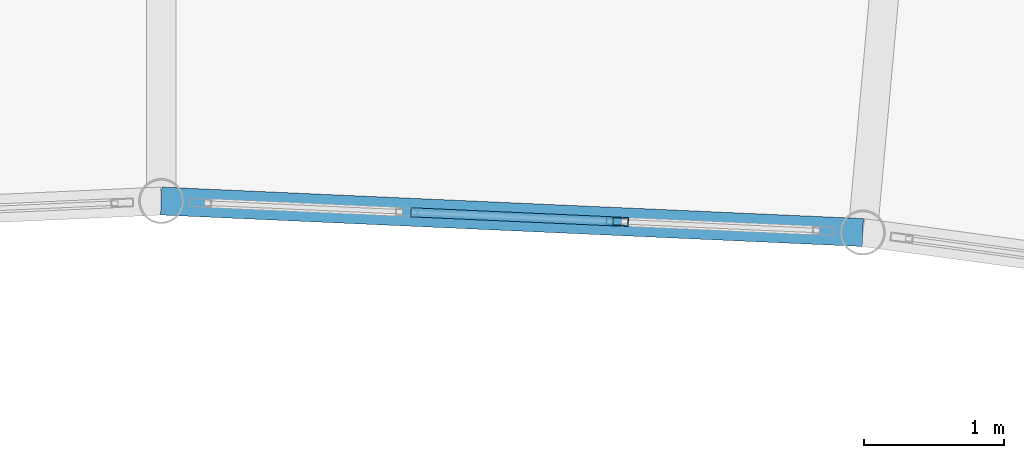
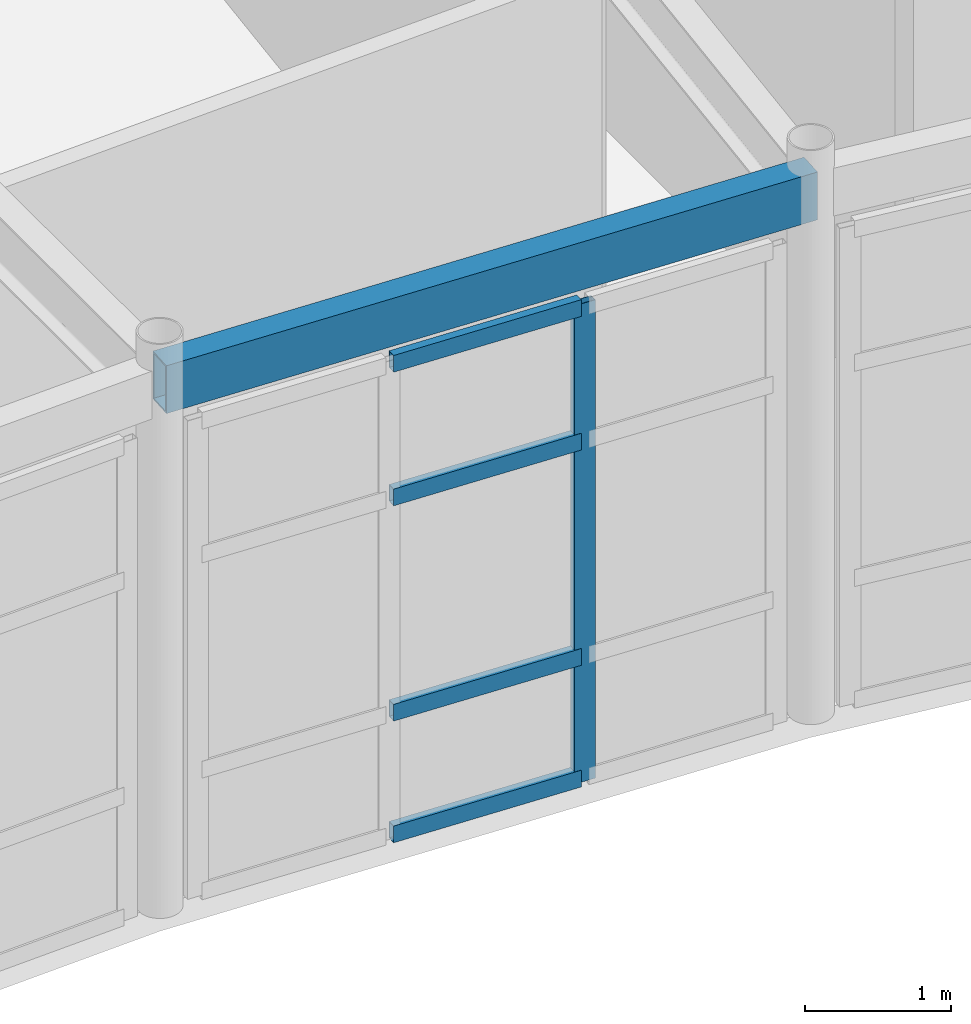
# One storey, part 72 of 116: 5 members, 1 beam, 1 element without a shape of its own.
"""IFC4 building model written with IfcOpenShell, lengths in metres."""

from ifc_helpers import new_model, si_unit, direction, frame, origin, origin_2d, place, context, subcontext, project, spatial, hollow_rectangle, extrude, material, layer, layer_set, material_profile, profile_set, type_object, element, aggregate, save


model = new_model("IFC4")

# Units and contexts
model_context = context("Model", 3, precision=1e-05, world=origin(), true_north=direction((0.0, 1.0)))
body_context = subcontext(model_context, "Body", "Model", "MODEL_VIEW")
ifc_project = project(units=[si_unit("LENGTHUNIT", "METRE"), si_unit("AREAUNIT", "SQUARE_METRE"), si_unit("VOLUMEUNIT", "CUBIC_METRE"), si_unit("PLANEANGLEUNIT", "RADIAN"), si_unit("MASSUNIT", "GRAM", prefix="KILO")], contexts=[model_context])

# Site, building, storey
site_placement = place(None, origin())
site = spatial("IfcSite", under=ifc_project, at=site_placement, CompositionType="ELEMENT")
building_placement = place(site_placement, origin())
building = spatial("IfcBuilding", under=site, at=building_placement, Name="Selat Folded Stagehouse", CompositionType="ELEMENT")
storey_placement = place(building_placement, frame((0.0, 0.0, 5.39990234375)))
storey = spatial("IfcBuildingStorey", under=building, at=storey_placement, Name="L01", CompositionType="ELEMENT", Elevation=5.39990234375)

# Curtain wall, members
ifc_material_1 = material(Name="Aluminium 6063-T6", Category="aluminium")
ifc_layer = layer(ifc_material_1, 0.18994140625)
ifc_layer_set = layer_set([ifc_layer], Name="Aluminium 6063-T6")
curtain_wall_type = type_object("IfcCurtainWallType", Name="CW-REH-ARC", PredefinedType="NOTDEFINED", material=ifc_layer_set)
curtain_wall_placement = place(storey_placement, origin())
curtain_wall = element("IfcCurtainWall", 1, at=curtain_wall_placement, inside=storey, type_object=curtain_wall_type, Name="L01 curtain wall CW-REH-L01-07", PredefinedType="NOTDEFINED")
ifc_material_profile_1 = material_profile(ifc_material_1, hollow_rectangle(XDim=0.06005859375, YDim=0.159912109375, WallThickness=0.00390625, at=origin_2d()), Name="ALU 160x60x4.0")
ifc_profile_set_1 = profile_set([ifc_material_profile_1], Name="Aluminium 6063-T6")
member_type_1 = type_object("IfcMemberType", Name="CWM-MUL-160x60", PredefinedType="MULLION", material=ifc_profile_set_1)
member_1_placement = place(storey_placement, frame((95.663330078125, 93.853515625, 0.0), z_axis=(0.0, 0.0, 1.0), x_axis=(-0.044862316478, -0.998993179436, 0.0)))
member_1 = element("IfcMember", 2, at=member_1_placement, type_object=member_type_1, Name="CW-06 mullion 2", PredefinedType="MULLION", context=body_context, shape_type="SweptSolid", body=[
    extrude(hollow_rectangle(XDim=0.06005859375, YDim=0.159912109375, WallThickness=0.00390625, at=origin_2d()), origin(), (0.0, 0.0, 1.0), 4.0),
])
ifc_material_profile_2 = material_profile(ifc_material_1, hollow_rectangle(XDim=0.06494140625, YDim=0.139892578125, WallThickness=0.00390625, at=origin_2d()), Name="ALU 140x65x4.0")
ifc_profile_set_2 = profile_set([ifc_material_profile_2], Name="Aluminium 6063-T6")
member_type_2 = type_object("IfcMemberType", Name="CWM-TRN-140x65", PredefinedType="USERDEFINED", material=ifc_profile_set_2)
member_2_placement = place(storey_placement, frame((95.63330078125, 93.854736328125, 0.03271484375), z_axis=(-0.998994101144, 0.044841787193, 0.0), x_axis=(-0.044841787193, -0.998994101144, 0.0)))
member_2 = element("IfcMember", 3, at=member_2_placement, type_object=member_type_2, Name="CW-06 transom 2.1", ObjectType="TRANSOM", PredefinedType="USERDEFINED", context=body_context, shape_type="SweptSolid", body=[
    extrude(hollow_rectangle(XDim=0.06494140625, YDim=0.139892578125, WallThickness=0.00390625, at=origin_2d()), origin(), (0.0, 0.0, 1.0), 1.4482421875),
])
member_3_placement = place(storey_placement, frame((95.63330078125, 93.854736328125, 1.050048828125), z_axis=(-0.998994101144, 0.044841787193, 0.0), x_axis=(-0.044841787193, -0.998994101144, 0.0)))
member_3 = element("IfcMember", 4, at=member_3_placement, type_object=member_type_2, Name="CW-06 transom 2.2", ObjectType="TRANSOM", PredefinedType="USERDEFINED", context=body_context, shape_type="SweptSolid", body=[
    extrude(hollow_rectangle(XDim=0.06494140625, YDim=0.139892578125, WallThickness=0.00390625, at=origin_2d()), origin(), (0.0, 0.0, 1.0), 1.4482421875),
])
member_4_placement = place(storey_placement, frame((95.63330078125, 93.854736328125, 2.85009765625), z_axis=(-0.998994101144, 0.044841787193, 0.0), x_axis=(-0.044841787193, -0.998994101144, 0.0)))
member_4 = element("IfcMember", 5, at=member_4_placement, type_object=member_type_2, Name="CW-06 transom 2.3", ObjectType="TRANSOM", PredefinedType="USERDEFINED", context=body_context, shape_type="SweptSolid", body=[
    extrude(hollow_rectangle(XDim=0.06494140625, YDim=0.139892578125, WallThickness=0.00390625, at=origin_2d()), origin(), (0.0, 0.0, 1.0), 1.4482421875),
])
member_5_placement = place(storey_placement, frame((95.63330078125, 93.854736328125, 3.967529296875), z_axis=(-0.998994101144, 0.044841787193, 0.0), x_axis=(-0.044841787193, -0.998994101144, 0.0)))
member_5 = element("IfcMember", 6, at=member_5_placement, type_object=member_type_2, Name="CW-06 transom 2.4", ObjectType="TRANSOM", PredefinedType="USERDEFINED", context=body_context, shape_type="SweptSolid", body=[
    extrude(hollow_rectangle(XDim=0.06494140625, YDim=0.139892578125, WallThickness=0.00390625, at=origin_2d()), origin(), (0.0, 0.0, 1.0), 1.4482421875),
])
aggregate(curtain_wall, [member_1, member_2, member_3, member_4, member_5])

# Beam
ifc_material_2 = material(Name="Steel S355", Category="steel")
ifc_material_profile_3 = material_profile(ifc_material_2, hollow_rectangle(XDim=0.199951171875, YDim=0.39990234375, WallThickness=0.012451171875, at=origin_2d()), Name="RHS 400x200x12.5")
ifc_profile_set_3 = profile_set([ifc_material_profile_3], Name="Steel S355")
beam_type = type_object("IfcBeamType", Name="SPD-EXT-400x200", PredefinedType="SPANDREL", material=ifc_profile_set_3)
beam_placement = place(storey_placement, frame((92.39990234375, 94.0, 4.3701171875), z_axis=(0.998994025486, -0.044843472693, 0.0), x_axis=(0.044843472693, 0.998994025486, 0.0)))
element("IfcBeam", 7, at=beam_placement, inside=storey, type_object=beam_type, Name="L01 inner curved rehearsal spandrel 8", PredefinedType="SPANDREL", context=body_context, shape_type="SweptSolid", body=[
    extrude(hollow_rectangle(XDim=0.199951171875, YDim=0.39990234375, WallThickness=0.012451171875, at=origin_2d()), origin(), (0.0, 0.0, 1.0), 5.025146484375),
])

save(model, "model.ifc")
